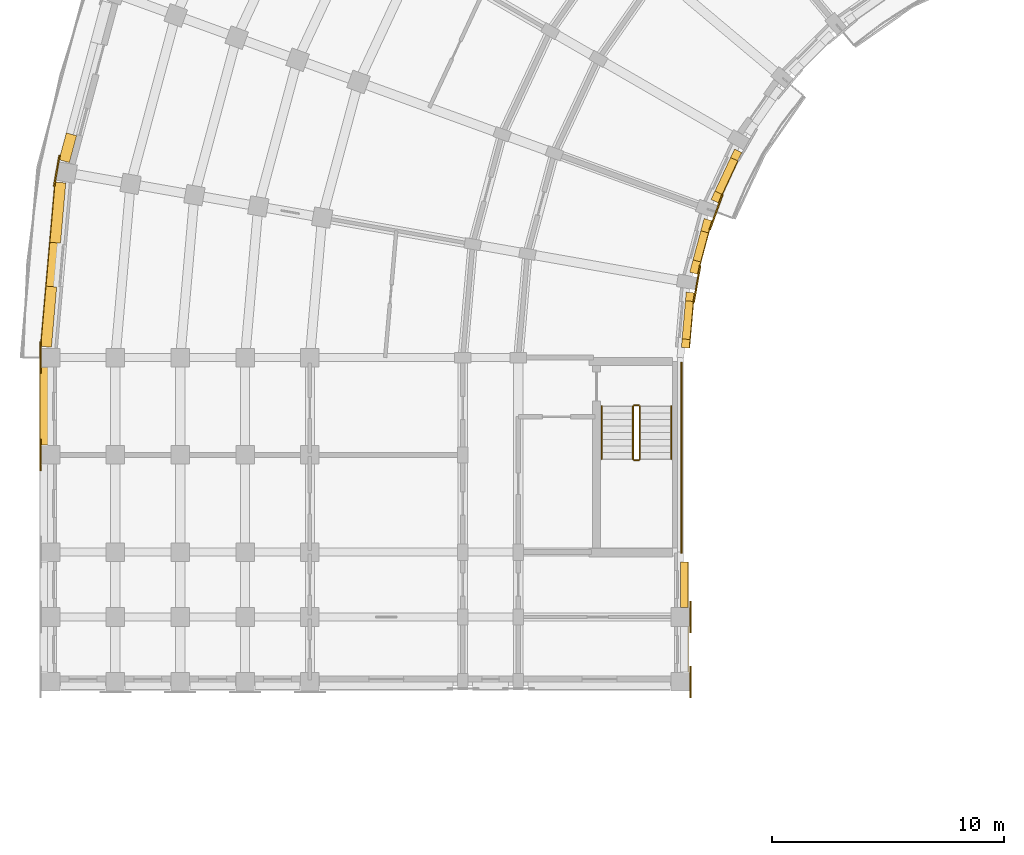
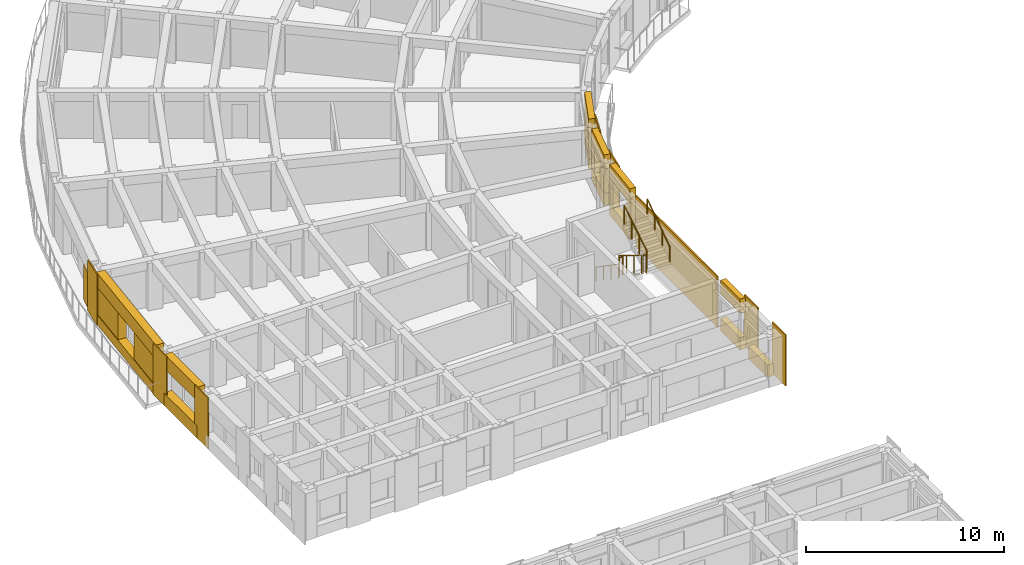
# One storey, part 44 of 54: 30 coverings, 6 railings.
"""IFC4 building model written with IfcOpenShell, lengths in metres."""

from ifc_helpers import new_model, si_unit, direction, frame, origin, origin_2d, place, context, subcontext, project, spatial, polyline, circle, outline, extrude, material, layer, layer_set, type_object, element, save


model = new_model("IFC4")

# Units and contexts
model_context = context("Model", 3, precision=1e-05, world=origin(), true_north=direction((0.0, 1.0)))
body_context = subcontext(model_context, "Body", "Model", "MODEL_VIEW")
ifc_project = project(units=[si_unit("LENGTHUNIT", "METRE"), si_unit("AREAUNIT", "SQUARE_METRE"), si_unit("VOLUMEUNIT", "CUBIC_METRE"), si_unit("PLANEANGLEUNIT", "RADIAN"), si_unit("MASSUNIT", "GRAM", prefix="KILO")], contexts=[model_context])

# Site, building, storey
site_placement = place(None, origin())
site = spatial("IfcSite", under=ifc_project, at=site_placement, CompositionType="ELEMENT")
building_placement = place(site_placement, origin())
building = spatial("IfcBuilding", under=site, at=building_placement, Name="Kiranvali Square Residences", CompositionType="ELEMENT")
storey_placement = place(building_placement, frame((0.0, 0.0, 15.0)))
storey = spatial("IfcBuildingStorey", under=building, at=storey_placement, Name="L04", CompositionType="ELEMENT", Elevation=15.0)

# Coverings
ifc_material_1 = material(Name="Honed Porbandar limestone ashlar facade cladding", Category="masonry")
ifc_layer_1 = layer(ifc_material_1, 0.3798828125)
ifc_layer_set_1 = layer_set([ifc_layer_1], Name="Honed Porbandar limestone ashlar facade cladding")
covering_type_1 = type_object("IfcCoveringType", Name="COV-CLAD-JAMB", PredefinedType="CLADDING", material=ifc_layer_set_1)
covering_1_placement = place(storey_placement, origin())
element("IfcCovering", 1, at=covering_1_placement, inside=storey, type_object=covering_type_1, Name="L04 deep limestone window jamb reveal A-L04-CRV-07.R", PredefinedType="CLADDING", context=body_context, shape_type="SweptSolid", body=[
    extrude(outline(polyline([(2.8818359375, 97.50146484375), (2.571044921875, 96.341552734375), (3.014892578125, 96.22265625), (3.32568359375, 97.382568359375), (2.8818359375, 97.50146484375)])), origin(), (0.0, 0.0, 1.0), 2.179931640625),
])
covering_2_placement = place(storey_placement, frame((0.0, 0.0, 0.6220703125)))
element("IfcCovering", 2, at=covering_2_placement, inside=storey, type_object=covering_type_1, Name="L04 deep limestone window jamb reveal A-L04-CRV-08.L", PredefinedType="CLADDING", context=body_context, shape_type="SweptSolid", body=[
    extrude(outline(polyline([(2.4013671875, 95.379638671875), (2.174072265625, 92.7802734375), (2.6318359375, 92.740234375), (2.859130859375, 95.339599609375), (2.4013671875, 95.379638671875)])), origin(), (0.0, 0.0, 1.0), 1.64990234375),
])
covering_3_placement = place(storey_placement, frame((0.0, 0.0, 0.6220703125)))
element("IfcCovering", 3, at=covering_3_placement, inside=storey, type_object=covering_type_1, Name="L04 deep limestone window jamb reveal A-L04-CRV-08.R", PredefinedType="CLADDING", context=body_context, shape_type="SweptSolid", body=[
    extrude(outline(polyline([(2.00830078125, 90.8876953125), (1.781005859375, 88.288330078125), (2.23876953125, 88.248291015625), (2.466064453125, 90.84765625), (2.00830078125, 90.8876953125)])), origin(), (0.0, 0.0, 1.0), 1.64990234375),
])
covering_4_placement = place(storey_placement, frame((0.0, 0.0, 0.6220703125)))
element("IfcCovering", 4, at=covering_4_placement, inside=storey, type_object=covering_type_1, Name="L04 deep limestone window jamb reveal A-L04-GDN-06.L", PredefinedType="CLADDING", context=body_context, shape_type="SweptSolid", body=[
    extrude(outline(polyline([(31.733154296875, 96.801025390625), (31.564697265625, 96.43994140625), (31.87255859375, 96.29638671875), (32.041015625, 96.657470703125), (31.733154296875, 96.801025390625)])), origin(), (0.0, 0.0, 1.0), 1.64990234375),
])
covering_5_placement = place(storey_placement, frame((0.0, 0.0, 0.6220703125)))
element("IfcCovering", 5, at=covering_5_placement, inside=storey, type_object=covering_type_1, Name="L04 deep limestone window jamb reveal A-L04-GDN-06.R", PredefinedType="CLADDING", context=body_context, shape_type="SweptSolid", body=[
    extrude(outline(polyline([(30.888671875, 94.98974609375), (30.72021484375, 94.62841796875), (31.02783203125, 94.485107421875), (31.1962890625, 94.84619140625), (30.888671875, 94.98974609375)])), origin(), (0.0, 0.0, 1.0), 1.64990234375),
])
covering_6_placement = place(storey_placement, frame((0.0, 0.0, 0.77197265625)))
element("IfcCovering", 6, at=covering_6_placement, inside=storey, type_object=covering_type_1, Name="L04 deep limestone window jamb reveal A-L04-GDN-07.L", PredefinedType="CLADDING", context=body_context, shape_type="SweptSolid", body=[
    extrude(outline(polyline([(30.42041015625, 93.804931640625), (30.2783203125, 93.27490234375), (30.6064453125, 93.187255859375), (30.748291015625, 93.717041015625), (30.42041015625, 93.804931640625)])), origin(), (0.0, 0.0, 1.0), 1.5),
])
covering_7_placement = place(storey_placement, frame((0.0, 0.0, 0.77197265625)))
element("IfcCovering", 7, at=covering_7_placement, inside=storey, type_object=covering_type_1, Name="L04 deep limestone window jamb reveal A-L04-GDN-07.R", PredefinedType="CLADDING", context=body_context, shape_type="SweptSolid", body=[
    extrude(outline(polyline([(29.94189453125, 92.019287109375), (29.800048828125, 91.489501953125), (30.1279296875, 91.401611328125), (30.269775390625, 91.931396484375), (29.94189453125, 92.019287109375)])), origin(), (0.0, 0.0, 1.0), 1.5),
])
covering_8_placement = place(storey_placement, frame((0.0, 0.0, 0.672119140625)))
element("IfcCovering", 8, at=covering_8_placement, inside=storey, type_object=covering_type_1, Name="L04 deep limestone window jamb reveal A-L04-GDN-08.L", PredefinedType="CLADDING", context=body_context, shape_type="SweptSolid", body=[
    extrude(outline(polyline([(29.647705078125, 90.626220703125), (29.615234375, 90.254150390625), (29.953369140625, 90.224609375), (29.986083984375, 90.5966796875), (29.647705078125, 90.626220703125)])), origin(), (0.0, 0.0, 1.0), 1.599853515625),
])
covering_9_placement = place(storey_placement, frame((0.0, 0.0, 0.672119140625)))
element("IfcCovering", 9, at=covering_9_placement, inside=storey, type_object=covering_type_1, Name="L04 deep limestone window jamb reveal A-L04-GDN-08.R", PredefinedType="CLADDING", context=body_context, shape_type="SweptSolid", body=[
    extrude(outline(polyline([(29.471435546875, 88.6103515625), (29.43896484375, 88.23828125), (29.777099609375, 88.208740234375), (29.8095703125, 88.580810546875), (29.471435546875, 88.6103515625)])), origin(), (0.0, 0.0, 1.0), 1.599853515625),
])
ifc_layer_2 = layer(ifc_material_1, 0.06494140625)
ifc_layer_set_2 = layer_set([ifc_layer_2], Name="Honed Porbandar limestone ashlar facade cladding")
covering_type_2 = type_object("IfcCoveringType", Name="COV-CLAD-PIER", PredefinedType="CLADDING", material=ifc_layer_set_2)
covering_10_placement = place(storey_placement, frame((0.0, 0.0, 0.0048828125)))
element("IfcCovering", 10, at=covering_10_placement, inside=storey, type_object=covering_type_2, Name="L04 Classical limestone corner pilaster CLAD-PR-A-L04-A08", PredefinedType="CLADDING", context=body_context, shape_type="SweptSolid", body=[
    extrude(outline(polyline([(2.555908203125, 96.538818359375), (2.31982421875, 95.199462890625), (2.38623046875, 95.187744140625), (2.62255859375, 96.527099609375), (2.555908203125, 96.538818359375)])), origin(), (0.0, 0.0, 1.0), 3.14013671875),
])
covering_11_placement = place(storey_placement, frame((0.0, 0.0, 0.0048828125)))
element("IfcCovering", 11, at=covering_11_placement, inside=storey, type_object=covering_type_2, Name="L04 Classical limestone corner pilaster CLAD-PR-A-L04-A09", PredefinedType="CLADDING", context=body_context, shape_type="SweptSolid", body=[
    extrude(outline(polyline([(1.73193359375, 88.47998046875), (1.73193359375, 87.1201171875), (1.799560546875, 87.1201171875), (1.799560546875, 88.47998046875), (1.73193359375, 88.47998046875)])), origin(), (0.0, 0.0, 1.0), 3.14013671875),
])
covering_12_placement = place(storey_placement, frame((0.0, 0.0, 0.0048828125)))
element("IfcCovering", 12, at=covering_12_placement, inside=storey, type_object=covering_type_2, Name="L04 Classical limestone pilaster casing CLAD-PR-A-L04-V42", PredefinedType="CLADDING", context=body_context, shape_type="SweptSolid", body=[
    extrude(outline(polyline([(1.73193359375, 84.280029296875), (1.73193359375, 82.919921875), (1.799560546875, 82.919921875), (1.799560546875, 84.280029296875), (1.73193359375, 84.280029296875)])), origin(), (0.0, 0.0, 1.0), 3.14013671875),
])
covering_13_placement = place(storey_placement, frame((0.0, 0.0, 0.0048828125)))
element("IfcCovering", 13, at=covering_13_placement, inside=storey, type_object=covering_type_2, Name="Block A L04 Arm 2 stair limestone ashlar cladding", PredefinedType="CLADDING", context=body_context, shape_type="SweptSolid", body=[
    extrude(outline(polyline([(29.402099609375, 87.60009765625), (29.402099609375, 79.35009765625), (29.47998046875, 79.35009765625), (29.47998046875, 87.60009765625), (29.402099609375, 87.60009765625)])), origin(), (0.0, 0.0, 1.0), 3.14013671875),
])
ifc_layer_3 = layer(ifc_material_1, 0.050048828125)
ifc_layer_set_3 = layer_set([ifc_layer_3], Name="Honed Porbandar limestone ashlar facade cladding")
covering_type_3 = type_object("IfcCoveringType", Name="COV-CLAD-PIER-IN", PredefinedType="CLADDING", material=ifc_layer_set_3)
covering_14_placement = place(storey_placement, frame((0.0, 0.0, 0.0048828125)))
element("IfcCovering", 14, at=covering_14_placement, inside=storey, type_object=covering_type_3, Name="L04 Classical garden courtyard pilaster CLAD-PRIN-A-L04-A07", PredefinedType="CLADDING", context=body_context, shape_type="SweptSolid", body=[
    extrude(outline(polyline([(30.699951171875, 93.318115234375), (31.2470703125, 94.82177734375), (31.183837890625, 94.8447265625), (30.636474609375, 93.34130859375), (30.699951171875, 93.318115234375)])), origin(), (0.0, 0.0, 1.0), 3.14013671875),
])
covering_15_placement = place(storey_placement, frame((0.0, 0.0, 0.0048828125)))
element("IfcCovering", 15, at=covering_15_placement, inside=storey, type_object=covering_type_3, Name="L04 Classical garden courtyard pilaster CLAD-PRIN-A-L04-A08", PredefinedType="CLADDING", context=body_context, shape_type="SweptSolid", body=[
    extrude(outline(polyline([(30.007568359375, 90.195556640625), (30.285400390625, 91.771240234375), (30.218994140625, 91.782958984375), (29.941162109375, 90.207275390625), (30.007568359375, 90.195556640625)])), origin(), (0.0, 0.0, 1.0), 3.14013671875),
])
covering_16_placement = place(storey_placement, frame((0.0, 0.0, 0.0048828125)))
element("IfcCovering", 16, at=covering_16_placement, inside=storey, type_object=covering_type_3, Name="L04 Classical limestone pilaster casing CLAD-PRA2I-A-L04-V112", PredefinedType="CLADDING", context=body_context, shape_type="SweptSolid", body=[
    extrude(outline(polyline([(29.800537109375, 77.280029296875), (29.800537109375, 75.919921875), (29.867919921875, 75.919921875), (29.867919921875, 77.280029296875), (29.800537109375, 77.280029296875)])), origin(), (0.0, 0.0, 1.0), 3.14013671875),
])
covering_17_placement = place(storey_placement, frame((0.0, 0.0, 0.0048828125)))
element("IfcCovering", 17, at=covering_17_placement, inside=storey, type_object=covering_type_3, Name="L04 Classical limestone pilaster casing CLAD-PRA2I-A-L04-V140", PredefinedType="CLADDING", context=body_context, shape_type="SweptSolid", body=[
    extrude(outline(polyline([(29.800537109375, 74.47998046875), (29.800537109375, 73.1201171875), (29.867919921875, 73.1201171875), (29.867919921875, 74.47998046875), (29.800537109375, 74.47998046875)])), origin(), (0.0, 0.0, 1.0), 3.14013671875),
])
ifc_layer_4 = layer(ifc_material_1, 0.360107421875)
ifc_layer_set_4 = layer_set([ifc_layer_4], Name="Honed Porbandar limestone ashlar facade cladding")
covering_type_4 = type_object("IfcCoveringType", Name="COV-CLAD-WALL", PredefinedType="CLADDING", material=ifc_layer_set_4)
covering_18_placement = place(storey_placement, frame((0.0, 0.0, 2.27197265625)))
element("IfcCovering", 18, at=covering_18_placement, inside=storey, type_object=covering_type_4, Name="L04 light limestone spandrel lintel A-L04-CRV-08", PredefinedType="CLADDING", context=body_context, shape_type="SweptSolid", body=[
    extrude(outline(polyline([(2.4013671875, 95.379638671875), (1.781005859375, 88.288330078125), (2.23876953125, 88.248291015625), (2.859130859375, 95.339599609375), (2.4013671875, 95.379638671875)])), origin(), (0.0, 0.0, 1.0), 0.873046875),
])
covering_19_placement = place(storey_placement, frame((0.0, 0.0, 0.0048828125)))
element("IfcCovering", 19, at=covering_19_placement, inside=storey, type_object=covering_type_4, Name="L04 limestone window sill apron A-L04-CRV-08", PredefinedType="CLADDING", context=body_context, shape_type="SweptSolid", body=[
    extrude(outline(polyline([(2.37158203125, 95.38232421875), (1.7509765625, 88.291015625), (2.23876953125, 88.248291015625), (2.859130859375, 95.339599609375), (2.37158203125, 95.38232421875)])), origin(), (0.0, 0.0, 1.0), 0.6171875),
])
covering_20_placement = place(storey_placement, frame((0.0, 0.0, 2.27197265625)))
element("IfcCovering", 20, at=covering_20_placement, inside=storey, type_object=covering_type_4, Name="L04 light limestone spandrel lintel A-L04-GDN-06", PredefinedType="CLADDING", context=body_context, shape_type="SweptSolid", body=[
    extrude(outline(polyline([(31.733154296875, 96.801025390625), (30.72021484375, 94.62841796875), (31.02783203125, 94.485107421875), (32.041015625, 96.657470703125), (31.733154296875, 96.801025390625)])), origin(), (0.0, 0.0, 1.0), 0.873046875),
])
covering_21_placement = place(storey_placement, frame((0.0, 0.0, 2.27197265625)))
element("IfcCovering", 21, at=covering_21_placement, inside=storey, type_object=covering_type_4, Name="L04 light limestone spandrel lintel A-L04-GDN-07", PredefinedType="CLADDING", context=body_context, shape_type="SweptSolid", body=[
    extrude(outline(polyline([(30.42041015625, 93.804931640625), (29.800048828125, 91.489501953125), (30.1279296875, 91.401611328125), (30.748291015625, 93.717041015625), (30.42041015625, 93.804931640625)])), origin(), (0.0, 0.0, 1.0), 0.873046875),
])
covering_22_placement = place(storey_placement, frame((0.0, 0.0, 2.27197265625)))
element("IfcCovering", 22, at=covering_22_placement, inside=storey, type_object=covering_type_4, Name="L04 light limestone spandrel lintel A-L04-GDN-08", PredefinedType="CLADDING", context=body_context, shape_type="SweptSolid", body=[
    extrude(outline(polyline([(29.647705078125, 90.626220703125), (29.43896484375, 88.23828125), (29.777099609375, 88.208740234375), (29.986083984375, 90.5966796875), (29.647705078125, 90.626220703125)])), origin(), (0.0, 0.0, 1.0), 0.873046875),
])
covering_23_placement = place(storey_placement, frame((0.0, 0.0, 2.27197265625)))
element("IfcCovering", 23, at=covering_23_placement, inside=storey, type_object=covering_type_4, Name="L04 light limestone spandrel lintel A-L04-A2O-0", PredefinedType="CLADDING", context=body_context, shape_type="SweptSolid", body=[
    extrude(outline(polyline([(1.75, 87.3798828125), (1.75, 84.02001953125), (2.199462890625, 84.02001953125), (2.199462890625, 87.3798828125), (1.75, 87.3798828125)])), origin(), (0.0, 0.0, 1.0), 0.873046875),
])
covering_24_placement = place(storey_placement, frame((0.0, 0.0, 0.0048828125)))
element("IfcCovering", 24, at=covering_24_placement, inside=storey, type_object=covering_type_4, Name="L04 limestone window sill apron A-L04-A2O-0", PredefinedType="CLADDING", context=body_context, shape_type="SweptSolid", body=[
    extrude(outline(polyline([(1.719970703125, 87.3798828125), (1.719970703125, 84.02001953125), (2.199462890625, 84.02001953125), (2.199462890625, 87.3798828125), (1.719970703125, 87.3798828125)])), origin(), (0.0, 0.0, 1.0), 0.76708984375),
])
covering_25_placement = place(storey_placement, frame((0.0, 0.0, 2.27197265625)))
element("IfcCovering", 25, at=covering_25_placement, inside=storey, type_object=covering_type_4, Name="L04 light limestone spandrel lintel A-L04-A2I-0", PredefinedType="CLADDING", context=body_context, shape_type="SweptSolid", body=[
    extrude(outline(polyline([(29.400390625, 78.97998046875), (29.400390625, 77.02001953125), (29.719970703125, 77.02001953125), (29.719970703125, 78.97998046875), (29.400390625, 78.97998046875)])), origin(), (0.0, 0.0, 1.0), 0.873046875),
])
covering_26_placement = place(storey_placement, frame((0.0, 0.0, 0.0048828125)))
element("IfcCovering", 26, at=covering_26_placement, inside=storey, type_object=covering_type_4, Name="L04 limestone window sill apron A-L04-A2I-0", PredefinedType="CLADDING", context=body_context, shape_type="SweptSolid", body=[
    extrude(outline(polyline([(29.400390625, 78.97998046875), (29.400390625, 77.02001953125), (29.75, 77.02001953125), (29.75, 78.97998046875), (29.400390625, 78.97998046875)])), origin(), (0.0, 0.0, 1.0), 0.76708984375),
])
covering_27_placement = place(storey_placement, frame((0.0, 0.0, 0.0048828125)))
element("IfcCovering", 27, at=covering_27_placement, inside=storey, type_object=covering_type_4, Name="L04 limestone window sill apron A-L04-A2I-1", PredefinedType="CLADDING", context=body_context, shape_type="SweptSolid", body=[
    extrude(outline(polyline([(29.400390625, 76.179931640625), (29.400390625, 74.219970703125), (29.75, 74.219970703125), (29.75, 76.179931640625), (29.400390625, 76.179931640625)])), origin(), (0.0, 0.0, 1.0), 0.76708984375),
])
ifc_layer_5 = layer(ifc_material_1, 0.2900390625)
ifc_layer_set_5 = layer_set([ifc_layer_5], Name="Honed Porbandar limestone ashlar facade cladding")
covering_type_5 = type_object("IfcCoveringType", Name="COV-CLAD-WALL-IN", PredefinedType="CLADDING", material=ifc_layer_set_5)
covering_28_placement = place(storey_placement, frame((0.0, 0.0, 0.0048828125)))
element("IfcCovering", 28, at=covering_28_placement, inside=storey, type_object=covering_type_5, Name="L04 limestone window sill apron A-L04-GDN-06", PredefinedType="CLADDING", context=body_context, shape_type="SweptSolid", body=[
    extrude(outline(polyline([(31.733154296875, 96.801025390625), (30.72021484375, 94.62841796875), (31.05517578125, 94.472412109375), (32.068115234375, 96.644775390625), (31.733154296875, 96.801025390625)])), origin(), (0.0, 0.0, 1.0), 0.6171875),
])
covering_29_placement = place(storey_placement, frame((0.0, 0.0, 0.0048828125)))
element("IfcCovering", 29, at=covering_29_placement, inside=storey, type_object=covering_type_5, Name="L04 limestone window sill apron A-L04-GDN-07", PredefinedType="CLADDING", context=body_context, shape_type="SweptSolid", body=[
    extrude(outline(polyline([(30.42041015625, 93.804931640625), (29.800048828125, 91.489501953125), (30.156982421875, 91.393798828125), (30.77734375, 93.709228515625), (30.42041015625, 93.804931640625)])), origin(), (0.0, 0.0, 1.0), 0.76708984375),
])
covering_30_placement = place(storey_placement, frame((0.0, 0.0, 0.0048828125)))
element("IfcCovering", 30, at=covering_30_placement, inside=storey, type_object=covering_type_5, Name="L04 limestone window sill apron A-L04-GDN-08", PredefinedType="CLADDING", context=body_context, shape_type="SweptSolid", body=[
    extrude(outline(polyline([(29.647705078125, 90.626220703125), (29.43896484375, 88.23828125), (29.806884765625, 88.2060546875), (30.015869140625, 90.593994140625), (29.647705078125, 90.626220703125)])), origin(), (0.0, 0.0, 1.0), 0.667236328125),
])

# Railings
ifc_material_2 = material(Name="Brushed stainless steel tubular handrail", Category="steel")
railing_type_1 = type_object("IfcRailingType", Name="RL-HANDRAIL-900", PredefinedType="HANDRAIL", material=ifc_material_2)
railing_1_placement = place(storey_placement, frame((26.0, 85.699951171875, 0.175048828125)))
element("IfcRailing", 31, at=railing_1_placement, inside=storey, type_object=railing_type_1, Name="L04 ST-A3 stair handrail 1", PredefinedType="HANDRAIL", context=body_context, shape_type="SweptSolid", body=[
    extrude(circle(Radius=0.02392578125, at=origin_2d()), frame((0.0, 0.0, 0.8759765625), z_axis=(0.0, -0.82278801735, 0.568348377763), x_axis=(1.0, 0.0, 0.0)), (0.0, 0.0, 1.0), 2.77099609375),
    extrude(circle(Radius=0.02099609375, at=origin_2d()), origin(), (0.0, 0.0, 1.0), 0.851806640625),
    extrude(circle(Radius=0.02099609375, at=origin_2d()), frame((0.0, -0.760009765625, 0.52490234375)), (0.0, 0.0, 1.0), 0.851806640625),
    extrude(circle(Radius=0.02099609375, at=origin_2d()), frame((0.0, -1.52001953125, 1.050048828125)), (0.0, 0.0, 1.0), 0.851806640625),
    extrude(circle(Radius=0.02099609375, at=origin_2d()), frame((0.0, -2.280029296875, 1.574951171875)), (0.0, 0.0, 1.0), 0.851806640625),
])
railing_2_placement = place(storey_placement, frame((29.0, 83.419921875, 1.75)))
element("IfcRailing", 32, at=railing_2_placement, inside=storey, type_object=railing_type_1, Name="L04 ST-A3 stair handrail 2", PredefinedType="HANDRAIL", context=body_context, shape_type="SweptSolid", body=[
    extrude(circle(Radius=0.02392578125, at=origin_2d()), frame((0.0, 0.0, 0.8759765625), z_axis=(0.0, 0.82278801735, 0.568348377763), x_axis=(-1.0, 0.0, 0.0)), (0.0, 0.0, 1.0), 2.77099609375),
    extrude(circle(Radius=0.02099609375, at=origin_2d()), origin(), (0.0, 0.0, 1.0), 0.851806640625),
    extrude(circle(Radius=0.02099609375, at=origin_2d()), frame((0.0, 0.760009765625, 0.52490234375)), (0.0, 0.0, 1.0), 0.851806640625),
    extrude(circle(Radius=0.02099609375, at=origin_2d()), frame((0.0, 1.52001953125, 1.050048828125)), (0.0, 0.0, 1.0), 0.851806640625),
    extrude(circle(Radius=0.02099609375, at=origin_2d()), frame((0.0, 2.280029296875, 1.574951171875)), (0.0, 0.0, 1.0), 0.851806640625),
])
ifc_material_3 = material(Name="Powder-coated architectural bronze balustrade", Category="steel")
railing_type_2 = type_object("IfcRailingType", Name="RL-ST-GUARD-1200", PredefinedType="GUARDRAIL", material=ifc_material_3)
railing_3_placement = place(storey_placement, frame((27.35009765625, 85.699951171875, 0.175048828125)))
element("IfcRailing", 33, at=railing_3_placement, inside=storey, type_object=railing_type_2, Name="L04 ST-A3 stair guard 1", PredefinedType="GUARDRAIL", context=body_context, shape_type="SweptSolid", body=[
    extrude(circle(Radius=0.02392578125, at=origin_2d()), frame((0.0, 0.0, 1.1259765625), z_axis=(0.0, -0.852190499154, 0.523231643875), x_axis=(1.0, 0.0, 0.0)), (0.0, 0.0, 1.0), 2.675537109375),
    extrude(circle(Radius=0.02099609375, at=origin_2d()), origin(), (0.0, 0.0, 1.0), 1.101806640625),
    extrude(circle(Radius=0.02099609375, at=origin_2d()), frame((0.0, -0.760009765625, 0.466552734375)), (0.0, 0.0, 1.0), 1.101806640625),
    extrude(circle(Radius=0.02099609375, at=origin_2d()), frame((0.0, -1.52001953125, 0.933349609375)), (0.0, 0.0, 1.0), 1.101806640625),
    extrude(circle(Radius=0.02099609375, at=origin_2d()), frame((0.0, -2.280029296875, 1.39990234375)), (0.0, 0.0, 1.0), 1.101806640625),
])
railing_4_placement = place(storey_placement, frame((27.39990234375, 83.3701171875, 1.574951171875)))
element("IfcRailing", 34, at=railing_4_placement, inside=storey, type_object=railing_type_2, Name="L04 ST-A3 stair guard 2", PredefinedType="GUARDRAIL", context=body_context, shape_type="SweptSolid", body=[
    extrude(circle(Radius=0.02392578125, at=origin_2d()), frame((0.0, 0.0, 1.1259765625), z_axis=(1.0, 0.0, 0.0), x_axis=(0.0, 1.0, 0.0)), (0.0, 0.0, 1.0), 0.2001953125),
    extrude(circle(Radius=0.02099609375, at=origin_2d()), origin(), (0.0, 0.0, 1.0), 1.101806640625),
    extrude(circle(Radius=0.02099609375, at=origin_2d()), frame((0.2001953125, 0.0, 0.0)), (0.0, 0.0, 1.0), 1.101806640625),
])
railing_5_placement = place(storey_placement, frame((27.64990234375, 83.419921875, 1.75)))
element("IfcRailing", 35, at=railing_5_placement, inside=storey, type_object=railing_type_2, Name="L04 ST-A3 stair guard 3", PredefinedType="GUARDRAIL", context=body_context, shape_type="SweptSolid", body=[
    extrude(circle(Radius=0.02392578125, at=origin_2d()), frame((0.0, 0.0, 1.1259765625), z_axis=(0.0, 0.852190499154, 0.523231643875), x_axis=(-1.0, 0.0, 0.0)), (0.0, 0.0, 1.0), 2.675537109375),
    extrude(circle(Radius=0.02099609375, at=origin_2d()), origin(), (0.0, 0.0, 1.0), 1.101806640625),
    extrude(circle(Radius=0.02099609375, at=origin_2d()), frame((0.0, 0.760009765625, 0.466552734375)), (0.0, 0.0, 1.0), 1.101806640625),
    extrude(circle(Radius=0.02099609375, at=origin_2d()), frame((0.0, 1.52001953125, 0.933349609375)), (0.0, 0.0, 1.0), 1.101806640625),
    extrude(circle(Radius=0.02099609375, at=origin_2d()), frame((0.0, 2.280029296875, 1.39990234375)), (0.0, 0.0, 1.0), 1.101806640625),
])
railing_6_placement = place(storey_placement, frame((27.39990234375, 85.75, 0.0)))
element("IfcRailing", 36, at=railing_6_placement, inside=storey, type_object=railing_type_2, Name="L04 ST-A3 stair guard 4", PredefinedType="GUARDRAIL", context=body_context, shape_type="SweptSolid", body=[
    extrude(circle(Radius=0.02392578125, at=origin_2d()), frame((0.0, 0.0, 1.1259765625), z_axis=(1.0, 0.0, 0.0), x_axis=(0.0, 1.0, 0.0)), (0.0, 0.0, 1.0), 0.2001953125),
    extrude(circle(Radius=0.02099609375, at=origin_2d()), origin(), (0.0, 0.0, 1.0), 1.101806640625),
    extrude(circle(Radius=0.02099609375, at=origin_2d()), frame((0.2001953125, 0.0, 0.0)), (0.0, 0.0, 1.0), 1.101806640625),
])

save(model, "model.ifc")
